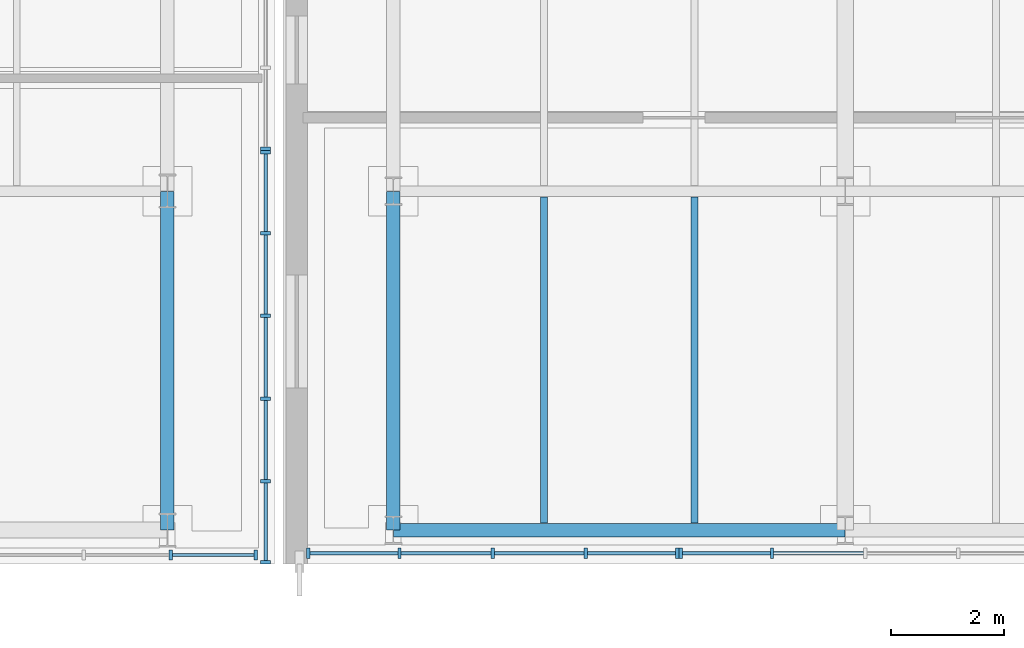
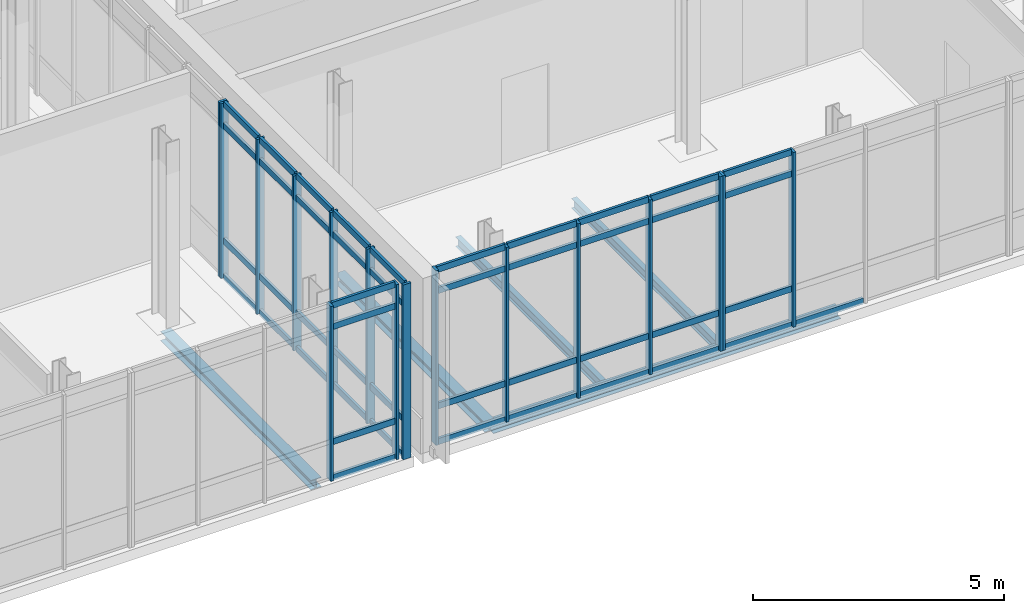
# One storey, part 28 of 100: 61 members, 5 beams, 5 elements without a shape of their own.
"""IFC4 building model written with IfcOpenShell, lengths in metres."""

from ifc_helpers import new_model, si_unit, direction, frame, origin, origin_2d, place, context, subcontext, project, spatial, rectangle, i_section, extrude, material, material_profile, profile_set, type_object, element, aggregate, save


model = new_model("IFC4")

# Units and contexts
model_context = context("Model", 3, precision=1e-05, world=origin(), true_north=direction((0.0, 1.0)))
body_context = subcontext(model_context, "Body", "Model", "MODEL_VIEW")
ifc_project = project(units=[si_unit("LENGTHUNIT", "METRE"), si_unit("AREAUNIT", "SQUARE_METRE"), si_unit("VOLUMEUNIT", "CUBIC_METRE"), si_unit("PLANEANGLEUNIT", "RADIAN"), si_unit("MASSUNIT", "GRAM", prefix="KILO")], contexts=[model_context])

# Site, building, storey
site_placement = place(None, origin())
site = spatial("IfcSite", under=ifc_project, at=site_placement, CompositionType="ELEMENT")
building_placement = place(site_placement, origin())
building = spatial("IfcBuilding", under=site, at=building_placement, Name="Cymarion Research Institute", CompositionType="ELEMENT")
storey_placement = place(building_placement, frame((0.0, 0.0, 4.800048828125)))
storey = spatial("IfcBuildingStorey", under=building, at=storey_placement, Name="L01", CompositionType="ELEMENT", Elevation=4.800048828125)

# Curtain wall, members
ifc_material_1 = material(Name="Anodised aluminium unitised curtain wall with Low-E glazing", Category="aluminium")
curtain_wall_type_1 = type_object("IfcCurtainWallType", Name="UNITISED CURTAIN WALL CW01 6590X4250", PredefinedType="NOTDEFINED", material=ifc_material_1)
curtain_wall_1_placement = place(storey_placement, origin())
curtain_wall_1 = element("IfcCurtainWall", 1, at=curtain_wall_1_placement, inside=storey, type_object=curtain_wall_type_1, Name="L01 V1 unitised curtain wall CW01 #1", PredefinedType="NOTDEFINED")
ifc_material_2 = material(Name="Anodised aluminium framing", Category="aluminium")
ifc_material_profile_1 = material_profile(ifc_material_2, rectangle(XDim=0.06005859375, YDim=0.179931640625, at=origin_2d()), Name="ALU MULLION 60x180")
ifc_profile_set_1 = profile_set([ifc_material_profile_1], Name="Anodised aluminium framing")
member_type_1 = type_object("IfcMemberType", Name="CURTAIN WALL MULLION ML01 60X180", PredefinedType="MULLION", material=ifc_profile_set_1)
member_1_placement = place(storey_placement, frame((105.092041015625, 5.090087890625, 0.0), z_axis=(0.0, 0.0, 1.0), x_axis=(1.0, 0.0, 0.0)))
member_1 = element("IfcMember", 2, at=member_1_placement, type_object=member_type_1, Name="CW01 mullion 1", PredefinedType="MULLION", context=body_context, shape_type="SweptSolid", body=[
    extrude(rectangle(XDim=0.06005859375, YDim=0.179931640625, at=origin_2d()), origin(), (0.0, 0.0, 1.0), 4.25),
])
member_2_placement = place(storey_placement, frame((106.710205078125, 5.090087890625, 0.0), z_axis=(0.0, 0.0, 1.0), x_axis=(1.0, 0.0, 0.0)))
member_2 = element("IfcMember", 3, at=member_2_placement, type_object=member_type_1, Name="CW01 mullion 2", PredefinedType="MULLION", context=body_context, shape_type="SweptSolid", body=[
    extrude(rectangle(XDim=0.06005859375, YDim=0.179931640625, at=origin_2d()), origin(), (0.0, 0.0, 1.0), 4.25),
])
member_3_placement = place(storey_placement, frame((108.358642578125, 5.090087890625, 0.0), z_axis=(0.0, 0.0, 1.0), x_axis=(1.0, 0.0, 0.0)))
member_3 = element("IfcMember", 4, at=member_3_placement, type_object=member_type_1, Name="CW01 mullion 3", PredefinedType="MULLION", context=body_context, shape_type="SweptSolid", body=[
    extrude(rectangle(XDim=0.06005859375, YDim=0.179931640625, at=origin_2d()), origin(), (0.0, 0.0, 1.0), 4.25),
])
member_4_placement = place(storey_placement, frame((110.0068359375, 5.090087890625, 0.0), z_axis=(0.0, 0.0, 1.0), x_axis=(1.0, 0.0, 0.0)))
member_4 = element("IfcMember", 5, at=member_4_placement, type_object=member_type_1, Name="CW01 mullion 4", PredefinedType="MULLION", context=body_context, shape_type="SweptSolid", body=[
    extrude(rectangle(XDim=0.06005859375, YDim=0.179931640625, at=origin_2d()), origin(), (0.0, 0.0, 1.0), 4.25),
])
member_5_placement = place(storey_placement, frame((111.625, 5.090087890625, 0.0), z_axis=(0.0, 0.0, 1.0), x_axis=(1.0, 0.0, 0.0)))
member_5 = element("IfcMember", 6, at=member_5_placement, type_object=member_type_1, Name="CW01 mullion 5", PredefinedType="MULLION", context=body_context, shape_type="SweptSolid", body=[
    extrude(rectangle(XDim=0.06005859375, YDim=0.179931640625, at=origin_2d()), origin(), (0.0, 0.0, 1.0), 4.25),
])

curtain_wall_2_placement = place(storey_placement, origin())
curtain_wall_2 = element("IfcCurtainWall", 7, at=curtain_wall_2_placement, inside=storey, type_object=curtain_wall_type_1, Name="L01 V1 unitised curtain wall CW01 #2", PredefinedType="NOTDEFINED")
member_6_placement = place(storey_placement, frame((111.68505859375, 5.090087890625, 0.0), z_axis=(0.0, 0.0, 1.0), x_axis=(1.0, 0.0, 0.0)))
member_6 = element("IfcMember", 8, at=member_6_placement, type_object=member_type_1, Name="CW01 mullion 1", PredefinedType="MULLION", context=body_context, shape_type="SweptSolid", body=[
    extrude(rectangle(XDim=0.06005859375, YDim=0.179931640625, at=origin_2d()), origin(), (0.0, 0.0, 1.0), 4.25),
])
member_7_placement = place(storey_placement, frame((113.303466796875, 5.090087890625, 0.0), z_axis=(0.0, 0.0, 1.0), x_axis=(1.0, 0.0, 0.0)))
member_7 = element("IfcMember", 9, at=member_7_placement, type_object=member_type_1, Name="CW01 mullion 2", PredefinedType="MULLION", context=body_context, shape_type="SweptSolid", body=[
    extrude(rectangle(XDim=0.06005859375, YDim=0.179931640625, at=origin_2d()), origin(), (0.0, 0.0, 1.0), 4.25),
])

curtain_wall_type_2 = type_object("IfcCurtainWallType", Name="UNITISED CURTAIN WALL CW07 6150X4250", PredefinedType="NOTDEFINED", material=ifc_material_1)
curtain_wall_3_placement = place(storey_placement, origin())
curtain_wall_3 = element("IfcCurtainWall", 10, at=curtain_wall_3_placement, inside=storey, type_object=curtain_wall_type_2, Name="L01 V2 unitised curtain wall CW07 #18", PredefinedType="NOTDEFINED")
member_8_placement = place(storey_placement, frame((102.66064453125, 5.06005859375, 0.0), z_axis=(0.0, 0.0, 1.0), x_axis=(1.0, 0.0, 0.0)))
member_8 = element("IfcMember", 11, at=member_8_placement, type_object=member_type_1, Name="CW07 mullion 4", PredefinedType="MULLION", context=body_context, shape_type="SweptSolid", body=[
    extrude(rectangle(XDim=0.06005859375, YDim=0.179931640625, at=origin_2d()), origin(), (0.0, 0.0, 1.0), 4.25),
])
member_9_placement = place(storey_placement, frame((104.16796875, 5.06005859375, 0.0), z_axis=(0.0, 0.0, 1.0), x_axis=(1.0, 0.0, 0.0)))
member_9 = element("IfcMember", 12, at=member_9_placement, type_object=member_type_1, Name="CW07 mullion 5", PredefinedType="MULLION", context=body_context, shape_type="SweptSolid", body=[
    extrude(rectangle(XDim=0.06005859375, YDim=0.179931640625, at=origin_2d()), origin(), (0.0, 0.0, 1.0), 4.25),
])

curtain_wall_type_3 = type_object("IfcCurtainWallType", Name="UNITISED CURTAIN WALL CW08 7320X4250", PredefinedType="NOTDEFINED", material=ifc_material_1)
curtain_wall_4_placement = place(storey_placement, origin())
curtain_wall_4 = element("IfcCurtainWall", 13, at=curtain_wall_4_placement, inside=storey, type_object=curtain_wall_type_3, Name="L01 V2 unitised curtain wall CW08 #19", PredefinedType="NOTDEFINED")
member_10_placement = place(storey_placement, frame((104.340087890625, 4.929931640625, 0.0), z_axis=(0.0, 0.0, 1.0), x_axis=(0.0, 1.0, 0.0)))
member_10 = element("IfcMember", 14, at=member_10_placement, type_object=member_type_1, Name="CW08 mullion 1", PredefinedType="MULLION", context=body_context, shape_type="SweptSolid", body=[
    extrude(rectangle(XDim=0.06005859375, YDim=0.179931640625, at=origin_2d()), origin(), (0.0, 0.0, 1.0), 4.25),
])
member_11_placement = place(storey_placement, frame((104.340087890625, 6.364013671875, 0.0), z_axis=(0.0, 0.0, 1.0), x_axis=(0.0, 1.0, 0.0)))
member_11 = element("IfcMember", 15, at=member_11_placement, type_object=member_type_1, Name="CW08 mullion 2", PredefinedType="MULLION", context=body_context, shape_type="SweptSolid", body=[
    extrude(rectangle(XDim=0.06005859375, YDim=0.179931640625, at=origin_2d()), origin(), (0.0, 0.0, 1.0), 4.25),
])
member_12_placement = place(storey_placement, frame((104.340087890625, 7.827880859375, 0.0), z_axis=(0.0, 0.0, 1.0), x_axis=(0.0, 1.0, 0.0)))
member_12 = element("IfcMember", 16, at=member_12_placement, type_object=member_type_1, Name="CW08 mullion 3", PredefinedType="MULLION", context=body_context, shape_type="SweptSolid", body=[
    extrude(rectangle(XDim=0.06005859375, YDim=0.179931640625, at=origin_2d()), origin(), (0.0, 0.0, 1.0), 4.25),
])
member_13_placement = place(storey_placement, frame((104.340087890625, 9.2919921875, 0.0), z_axis=(0.0, 0.0, 1.0), x_axis=(0.0, 1.0, 0.0)))
member_13 = element("IfcMember", 17, at=member_13_placement, type_object=member_type_1, Name="CW08 mullion 4", PredefinedType="MULLION", context=body_context, shape_type="SweptSolid", body=[
    extrude(rectangle(XDim=0.06005859375, YDim=0.179931640625, at=origin_2d()), origin(), (0.0, 0.0, 1.0), 4.25),
])
member_14_placement = place(storey_placement, frame((104.340087890625, 10.756103515625, 0.0), z_axis=(0.0, 0.0, 1.0), x_axis=(0.0, 1.0, 0.0)))
member_14 = element("IfcMember", 18, at=member_14_placement, type_object=member_type_1, Name="CW08 mullion 5", PredefinedType="MULLION", context=body_context, shape_type="SweptSolid", body=[
    extrude(rectangle(XDim=0.06005859375, YDim=0.179931640625, at=origin_2d()), origin(), (0.0, 0.0, 1.0), 4.25),
])
member_15_placement = place(storey_placement, frame((104.340087890625, 12.18994140625, 0.0), z_axis=(0.0, 0.0, 1.0), x_axis=(0.0, 1.0, 0.0)))
member_15 = element("IfcMember", 19, at=member_15_placement, type_object=member_type_1, Name="CW08 mullion 6", PredefinedType="MULLION", context=body_context, shape_type="SweptSolid", body=[
    extrude(rectangle(XDim=0.06005859375, YDim=0.179931640625, at=origin_2d()), origin(), (0.0, 0.0, 1.0), 4.25),
])

# Curtain wall, member
curtain_wall_5_placement = place(storey_placement, origin())
curtain_wall_5 = element("IfcCurtainWall", 20, at=curtain_wall_5_placement, inside=storey, type_object=curtain_wall_type_3, Name="L01 V2 unitised curtain wall CW08 #20", PredefinedType="NOTDEFINED")
member_16_placement = place(storey_placement, frame((104.340087890625, 12.25, 0.0), z_axis=(0.0, 0.0, 1.0), x_axis=(0.0, 1.0, 0.0)))
member_16 = element("IfcMember", 21, at=member_16_placement, type_object=member_type_1, Name="CW08 mullion 1", PredefinedType="MULLION", context=body_context, shape_type="SweptSolid", body=[
    extrude(rectangle(XDim=0.06005859375, YDim=0.179931640625, at=origin_2d()), origin(), (0.0, 0.0, 1.0), 4.25),
])
aggregate(curtain_wall_5, [member_16])

# Member
ifc_material_profile_2 = material_profile(ifc_material_2, rectangle(XDim=0.06005859375, YDim=0.14990234375, at=origin_2d()), Name="ALU TRANSOM 60x150")
ifc_profile_set_2 = profile_set([ifc_material_profile_2], Name="Anodised aluminium framing")
member_type_2 = type_object("IfcMemberType", Name="CURTAIN WALL TRANSOM TR01 60X150", PredefinedType="USERDEFINED", material=ifc_profile_set_2)
member_17_placement = place(storey_placement, frame((105.1220703125, 5.090087890625, 0.030029296875), z_axis=(1.0, 0.0, 0.0), x_axis=(0.0, 1.0, 0.0)))
member_17 = element("IfcMember", 22, at=member_17_placement, type_object=member_type_2, Name="CW01 transom 1.1", ObjectType="TRANSOM", PredefinedType="USERDEFINED", context=body_context, shape_type="SweptSolid", body=[
    extrude(rectangle(XDim=0.06005859375, YDim=0.14990234375, at=origin_2d()), origin(), (0.0, 0.0, 1.0), 1.55810546875),
])

member_18_placement = place(storey_placement, frame((105.1220703125, 5.090087890625, 0.89990234375), z_axis=(1.0, 0.0, 0.0), x_axis=(0.0, 1.0, 0.0)))
member_18 = element("IfcMember", 23, at=member_18_placement, type_object=member_type_2, Name="CW01 transom 1.2", ObjectType="TRANSOM", PredefinedType="USERDEFINED", context=body_context, shape_type="SweptSolid", body=[
    extrude(rectangle(XDim=0.06005859375, YDim=0.14990234375, at=origin_2d()), origin(), (0.0, 0.0, 1.0), 1.55810546875),
])

member_19_placement = place(storey_placement, frame((105.1220703125, 5.090087890625, 3.699951171875), z_axis=(1.0, 0.0, 0.0), x_axis=(0.0, 1.0, 0.0)))
member_19 = element("IfcMember", 24, at=member_19_placement, type_object=member_type_2, Name="CW01 transom 1.3", ObjectType="TRANSOM", PredefinedType="USERDEFINED", context=body_context, shape_type="SweptSolid", body=[
    extrude(rectangle(XDim=0.06005859375, YDim=0.14990234375, at=origin_2d()), origin(), (0.0, 0.0, 1.0), 1.55810546875),
])

member_20_placement = place(storey_placement, frame((105.1220703125, 5.090087890625, 4.219970703125), z_axis=(1.0, 0.0, 0.0), x_axis=(0.0, 1.0, 0.0)))
member_20 = element("IfcMember", 25, at=member_20_placement, type_object=member_type_2, Name="CW01 transom 1.4", ObjectType="TRANSOM", PredefinedType="USERDEFINED", context=body_context, shape_type="SweptSolid", body=[
    extrude(rectangle(XDim=0.06005859375, YDim=0.14990234375, at=origin_2d()), origin(), (0.0, 0.0, 1.0), 1.55810546875),
])

member_21_placement = place(storey_placement, frame((106.740234375, 5.090087890625, 0.030029296875), z_axis=(1.0, 0.0, 0.0), x_axis=(0.0, 1.0, 0.0)))
member_21 = element("IfcMember", 26, at=member_21_placement, type_object=member_type_2, Name="CW01 transom 2.1", ObjectType="TRANSOM", PredefinedType="USERDEFINED", context=body_context, shape_type="SweptSolid", body=[
    extrude(rectangle(XDim=0.06005859375, YDim=0.14990234375, at=origin_2d()), origin(), (0.0, 0.0, 1.0), 1.58837890625),
])

member_22_placement = place(storey_placement, frame((106.740234375, 5.090087890625, 0.89990234375), z_axis=(1.0, 0.0, 0.0), x_axis=(0.0, 1.0, 0.0)))
member_22 = element("IfcMember", 27, at=member_22_placement, type_object=member_type_2, Name="CW01 transom 2.2", ObjectType="TRANSOM", PredefinedType="USERDEFINED", context=body_context, shape_type="SweptSolid", body=[
    extrude(rectangle(XDim=0.06005859375, YDim=0.14990234375, at=origin_2d()), origin(), (0.0, 0.0, 1.0), 1.58837890625),
])

member_23_placement = place(storey_placement, frame((106.740234375, 5.090087890625, 3.699951171875), z_axis=(1.0, 0.0, 0.0), x_axis=(0.0, 1.0, 0.0)))
member_23 = element("IfcMember", 28, at=member_23_placement, type_object=member_type_2, Name="CW01 transom 2.3", ObjectType="TRANSOM", PredefinedType="USERDEFINED", context=body_context, shape_type="SweptSolid", body=[
    extrude(rectangle(XDim=0.06005859375, YDim=0.14990234375, at=origin_2d()), origin(), (0.0, 0.0, 1.0), 1.58837890625),
])

member_24_placement = place(storey_placement, frame((106.740234375, 5.090087890625, 4.219970703125), z_axis=(1.0, 0.0, 0.0), x_axis=(0.0, 1.0, 0.0)))
member_24 = element("IfcMember", 29, at=member_24_placement, type_object=member_type_2, Name="CW01 transom 2.4", ObjectType="TRANSOM", PredefinedType="USERDEFINED", context=body_context, shape_type="SweptSolid", body=[
    extrude(rectangle(XDim=0.06005859375, YDim=0.14990234375, at=origin_2d()), origin(), (0.0, 0.0, 1.0), 1.58837890625),
])

member_25_placement = place(storey_placement, frame((108.388671875, 5.090087890625, 0.030029296875), z_axis=(1.0, 0.0, 0.0), x_axis=(0.0, 1.0, 0.0)))
member_25 = element("IfcMember", 30, at=member_25_placement, type_object=member_type_2, Name="CW01 transom 3.1", ObjectType="TRANSOM", PredefinedType="USERDEFINED", context=body_context, shape_type="SweptSolid", body=[
    extrude(rectangle(XDim=0.06005859375, YDim=0.14990234375, at=origin_2d()), origin(), (0.0, 0.0, 1.0), 1.588134765625),
])

member_26_placement = place(storey_placement, frame((108.388671875, 5.090087890625, 0.89990234375), z_axis=(1.0, 0.0, 0.0), x_axis=(0.0, 1.0, 0.0)))
member_26 = element("IfcMember", 31, at=member_26_placement, type_object=member_type_2, Name="CW01 transom 3.2", ObjectType="TRANSOM", PredefinedType="USERDEFINED", context=body_context, shape_type="SweptSolid", body=[
    extrude(rectangle(XDim=0.06005859375, YDim=0.14990234375, at=origin_2d()), origin(), (0.0, 0.0, 1.0), 1.588134765625),
])

member_27_placement = place(storey_placement, frame((108.388671875, 5.090087890625, 3.699951171875), z_axis=(1.0, 0.0, 0.0), x_axis=(0.0, 1.0, 0.0)))
member_27 = element("IfcMember", 32, at=member_27_placement, type_object=member_type_2, Name="CW01 transom 3.3", ObjectType="TRANSOM", PredefinedType="USERDEFINED", context=body_context, shape_type="SweptSolid", body=[
    extrude(rectangle(XDim=0.06005859375, YDim=0.14990234375, at=origin_2d()), origin(), (0.0, 0.0, 1.0), 1.588134765625),
])

member_28_placement = place(storey_placement, frame((108.388671875, 5.090087890625, 4.219970703125), z_axis=(1.0, 0.0, 0.0), x_axis=(0.0, 1.0, 0.0)))
member_28 = element("IfcMember", 33, at=member_28_placement, type_object=member_type_2, Name="CW01 transom 3.4", ObjectType="TRANSOM", PredefinedType="USERDEFINED", context=body_context, shape_type="SweptSolid", body=[
    extrude(rectangle(XDim=0.06005859375, YDim=0.14990234375, at=origin_2d()), origin(), (0.0, 0.0, 1.0), 1.588134765625),
])

member_29_placement = place(storey_placement, frame((110.036865234375, 5.090087890625, 0.030029296875), z_axis=(1.0, 0.0, 0.0), x_axis=(0.0, 1.0, 0.0)))
member_29 = element("IfcMember", 34, at=member_29_placement, type_object=member_type_2, Name="CW01 transom 4.1", ObjectType="TRANSOM", PredefinedType="USERDEFINED", context=body_context, shape_type="SweptSolid", body=[
    extrude(rectangle(XDim=0.06005859375, YDim=0.14990234375, at=origin_2d()), origin(), (0.0, 0.0, 1.0), 1.558349609375),
])

member_30_placement = place(storey_placement, frame((110.036865234375, 5.090087890625, 0.89990234375), z_axis=(1.0, 0.0, 0.0), x_axis=(0.0, 1.0, 0.0)))
member_30 = element("IfcMember", 35, at=member_30_placement, type_object=member_type_2, Name="CW01 transom 4.2", ObjectType="TRANSOM", PredefinedType="USERDEFINED", context=body_context, shape_type="SweptSolid", body=[
    extrude(rectangle(XDim=0.06005859375, YDim=0.14990234375, at=origin_2d()), origin(), (0.0, 0.0, 1.0), 1.558349609375),
])

member_31_placement = place(storey_placement, frame((110.036865234375, 5.090087890625, 3.699951171875), z_axis=(1.0, 0.0, 0.0), x_axis=(0.0, 1.0, 0.0)))
member_31 = element("IfcMember", 36, at=member_31_placement, type_object=member_type_2, Name="CW01 transom 4.3", ObjectType="TRANSOM", PredefinedType="USERDEFINED", context=body_context, shape_type="SweptSolid", body=[
    extrude(rectangle(XDim=0.06005859375, YDim=0.14990234375, at=origin_2d()), origin(), (0.0, 0.0, 1.0), 1.558349609375),
])

member_32_placement = place(storey_placement, frame((110.036865234375, 5.090087890625, 4.219970703125), z_axis=(1.0, 0.0, 0.0), x_axis=(0.0, 1.0, 0.0)))
member_32 = element("IfcMember", 37, at=member_32_placement, type_object=member_type_2, Name="CW01 transom 4.4", ObjectType="TRANSOM", PredefinedType="USERDEFINED", context=body_context, shape_type="SweptSolid", body=[
    extrude(rectangle(XDim=0.06005859375, YDim=0.14990234375, at=origin_2d()), origin(), (0.0, 0.0, 1.0), 1.558349609375),
])

aggregate(curtain_wall_1, [member_1, member_2, member_3, member_4, member_5, member_17, member_18, member_19, member_20, member_21, member_22, member_23, member_24, member_25, member_26, member_27, member_28, member_29, member_30, member_31, member_32])

member_33_placement = place(storey_placement, frame((111.715087890625, 5.090087890625, 0.030029296875), z_axis=(1.0, 0.0, 0.0), x_axis=(0.0, 1.0, 0.0)))
member_33 = element("IfcMember", 38, at=member_33_placement, type_object=member_type_2, Name="CW01 transom 1.1", ObjectType="TRANSOM", PredefinedType="USERDEFINED", context=body_context, shape_type="SweptSolid", body=[
    extrude(rectangle(XDim=0.06005859375, YDim=0.14990234375, at=origin_2d()), origin(), (0.0, 0.0, 1.0), 1.558349609375),
])

member_34_placement = place(storey_placement, frame((111.715087890625, 5.090087890625, 0.89990234375), z_axis=(1.0, 0.0, 0.0), x_axis=(0.0, 1.0, 0.0)))
member_34 = element("IfcMember", 39, at=member_34_placement, type_object=member_type_2, Name="CW01 transom 1.2", ObjectType="TRANSOM", PredefinedType="USERDEFINED", context=body_context, shape_type="SweptSolid", body=[
    extrude(rectangle(XDim=0.06005859375, YDim=0.14990234375, at=origin_2d()), origin(), (0.0, 0.0, 1.0), 1.558349609375),
])

member_35_placement = place(storey_placement, frame((111.715087890625, 5.090087890625, 3.699951171875), z_axis=(1.0, 0.0, 0.0), x_axis=(0.0, 1.0, 0.0)))
member_35 = element("IfcMember", 40, at=member_35_placement, type_object=member_type_2, Name="CW01 transom 1.3", ObjectType="TRANSOM", PredefinedType="USERDEFINED", context=body_context, shape_type="SweptSolid", body=[
    extrude(rectangle(XDim=0.06005859375, YDim=0.14990234375, at=origin_2d()), origin(), (0.0, 0.0, 1.0), 1.558349609375),
])

member_36_placement = place(storey_placement, frame((111.715087890625, 5.090087890625, 4.219970703125), z_axis=(1.0, 0.0, 0.0), x_axis=(0.0, 1.0, 0.0)))
member_36 = element("IfcMember", 41, at=member_36_placement, type_object=member_type_2, Name="CW01 transom 1.4", ObjectType="TRANSOM", PredefinedType="USERDEFINED", context=body_context, shape_type="SweptSolid", body=[
    extrude(rectangle(XDim=0.06005859375, YDim=0.14990234375, at=origin_2d()), origin(), (0.0, 0.0, 1.0), 1.558349609375),
])

member_37_placement = place(storey_placement, frame((113.33349609375, 5.090087890625, 0.030029296875), z_axis=(1.0, 0.0, 0.0), x_axis=(0.0, 1.0, 0.0)))
member_37 = element("IfcMember", 42, at=member_37_placement, type_object=member_type_2, Name="CW01 transom 2.1", ObjectType="TRANSOM", PredefinedType="USERDEFINED", context=body_context, shape_type="SweptSolid", body=[
    extrude(rectangle(XDim=0.06005859375, YDim=0.14990234375, at=origin_2d()), origin(), (0.0, 0.0, 1.0), 1.588134765625),
])

aggregate(curtain_wall_2, [member_6, member_7, member_33, member_34, member_35, member_36, member_37])

member_38_placement = place(storey_placement, frame((102.690673828125, 5.06005859375, 0.030029296875), z_axis=(1.0, 0.0, 0.0), x_axis=(0.0, 1.0, 0.0)))
member_38 = element("IfcMember", 43, at=member_38_placement, type_object=member_type_2, Name="CW07 transom 4.1", ObjectType="TRANSOM", PredefinedType="USERDEFINED", context=body_context, shape_type="SweptSolid", body=[
    extrude(rectangle(XDim=0.06005859375, YDim=0.14990234375, at=origin_2d()), origin(), (0.0, 0.0, 1.0), 1.447265625),
])

member_39_placement = place(storey_placement, frame((102.690673828125, 5.06005859375, 0.89990234375), z_axis=(1.0, 0.0, 0.0), x_axis=(0.0, 1.0, 0.0)))
member_39 = element("IfcMember", 44, at=member_39_placement, type_object=member_type_2, Name="CW07 transom 4.2", ObjectType="TRANSOM", PredefinedType="USERDEFINED", context=body_context, shape_type="SweptSolid", body=[
    extrude(rectangle(XDim=0.06005859375, YDim=0.14990234375, at=origin_2d()), origin(), (0.0, 0.0, 1.0), 1.447265625),
])

member_40_placement = place(storey_placement, frame((102.690673828125, 5.06005859375, 3.699951171875), z_axis=(1.0, 0.0, 0.0), x_axis=(0.0, 1.0, 0.0)))
member_40 = element("IfcMember", 45, at=member_40_placement, type_object=member_type_2, Name="CW07 transom 4.3", ObjectType="TRANSOM", PredefinedType="USERDEFINED", context=body_context, shape_type="SweptSolid", body=[
    extrude(rectangle(XDim=0.06005859375, YDim=0.14990234375, at=origin_2d()), origin(), (0.0, 0.0, 1.0), 1.447265625),
])

member_41_placement = place(storey_placement, frame((102.690673828125, 5.06005859375, 4.219970703125), z_axis=(1.0, 0.0, 0.0), x_axis=(0.0, 1.0, 0.0)))
member_41 = element("IfcMember", 46, at=member_41_placement, type_object=member_type_2, Name="CW07 transom 4.4", ObjectType="TRANSOM", PredefinedType="USERDEFINED", context=body_context, shape_type="SweptSolid", body=[
    extrude(rectangle(XDim=0.06005859375, YDim=0.14990234375, at=origin_2d()), origin(), (0.0, 0.0, 1.0), 1.447265625),
])

aggregate(curtain_wall_3, [member_8, member_9, member_38, member_39, member_40, member_41])

member_42_placement = place(storey_placement, frame((104.340087890625, 4.9599609375, 0.030029296875), z_axis=(0.0, 1.0, 0.0), x_axis=(-1.0, 0.0, 0.0)))
member_42 = element("IfcMember", 47, at=member_42_placement, type_object=member_type_2, Name="CW08 transom 1.1", ObjectType="TRANSOM", PredefinedType="USERDEFINED", context=body_context, shape_type="SweptSolid", body=[
    extrude(rectangle(XDim=0.06005859375, YDim=0.14990234375, at=origin_2d()), origin(), (0.0, 0.0, 1.0), 1.3740234375),
])

member_43_placement = place(storey_placement, frame((104.340087890625, 4.9599609375, 0.89990234375), z_axis=(0.0, 1.0, 0.0), x_axis=(-1.0, 0.0, 0.0)))
member_43 = element("IfcMember", 48, at=member_43_placement, type_object=member_type_2, Name="CW08 transom 1.2", ObjectType="TRANSOM", PredefinedType="USERDEFINED", context=body_context, shape_type="SweptSolid", body=[
    extrude(rectangle(XDim=0.06005859375, YDim=0.14990234375, at=origin_2d()), origin(), (0.0, 0.0, 1.0), 1.3740234375),
])

member_44_placement = place(storey_placement, frame((104.340087890625, 4.9599609375, 3.699951171875), z_axis=(0.0, 1.0, 0.0), x_axis=(-1.0, 0.0, 0.0)))
member_44 = element("IfcMember", 49, at=member_44_placement, type_object=member_type_2, Name="CW08 transom 1.3", ObjectType="TRANSOM", PredefinedType="USERDEFINED", context=body_context, shape_type="SweptSolid", body=[
    extrude(rectangle(XDim=0.06005859375, YDim=0.14990234375, at=origin_2d()), origin(), (0.0, 0.0, 1.0), 1.3740234375),
])

member_45_placement = place(storey_placement, frame((104.340087890625, 4.9599609375, 4.219970703125), z_axis=(0.0, 1.0, 0.0), x_axis=(-1.0, 0.0, 0.0)))
member_45 = element("IfcMember", 50, at=member_45_placement, type_object=member_type_2, Name="CW08 transom 1.4", ObjectType="TRANSOM", PredefinedType="USERDEFINED", context=body_context, shape_type="SweptSolid", body=[
    extrude(rectangle(XDim=0.06005859375, YDim=0.14990234375, at=origin_2d()), origin(), (0.0, 0.0, 1.0), 1.3740234375),
])

member_46_placement = place(storey_placement, frame((104.340087890625, 6.39404296875, 0.030029296875), z_axis=(0.0, 1.0, 0.0), x_axis=(-1.0, 0.0, 0.0)))
member_46 = element("IfcMember", 51, at=member_46_placement, type_object=member_type_2, Name="CW08 transom 2.1", ObjectType="TRANSOM", PredefinedType="USERDEFINED", context=body_context, shape_type="SweptSolid", body=[
    extrude(rectangle(XDim=0.06005859375, YDim=0.14990234375, at=origin_2d()), origin(), (0.0, 0.0, 1.0), 1.404052734375),
])

member_47_placement = place(storey_placement, frame((104.340087890625, 6.39404296875, 0.89990234375), z_axis=(0.0, 1.0, 0.0), x_axis=(-1.0, 0.0, 0.0)))
member_47 = element("IfcMember", 52, at=member_47_placement, type_object=member_type_2, Name="CW08 transom 2.2", ObjectType="TRANSOM", PredefinedType="USERDEFINED", context=body_context, shape_type="SweptSolid", body=[
    extrude(rectangle(XDim=0.06005859375, YDim=0.14990234375, at=origin_2d()), origin(), (0.0, 0.0, 1.0), 1.404052734375),
])

member_48_placement = place(storey_placement, frame((104.340087890625, 6.39404296875, 3.699951171875), z_axis=(0.0, 1.0, 0.0), x_axis=(-1.0, 0.0, 0.0)))
member_48 = element("IfcMember", 53, at=member_48_placement, type_object=member_type_2, Name="CW08 transom 2.3", ObjectType="TRANSOM", PredefinedType="USERDEFINED", context=body_context, shape_type="SweptSolid", body=[
    extrude(rectangle(XDim=0.06005859375, YDim=0.14990234375, at=origin_2d()), origin(), (0.0, 0.0, 1.0), 1.404052734375),
])

member_49_placement = place(storey_placement, frame((104.340087890625, 6.39404296875, 4.219970703125), z_axis=(0.0, 1.0, 0.0), x_axis=(-1.0, 0.0, 0.0)))
member_49 = element("IfcMember", 54, at=member_49_placement, type_object=member_type_2, Name="CW08 transom 2.4", ObjectType="TRANSOM", PredefinedType="USERDEFINED", context=body_context, shape_type="SweptSolid", body=[
    extrude(rectangle(XDim=0.06005859375, YDim=0.14990234375, at=origin_2d()), origin(), (0.0, 0.0, 1.0), 1.404052734375),
])

member_50_placement = place(storey_placement, frame((104.340087890625, 7.85791015625, 0.030029296875), z_axis=(0.0, 1.0, 0.0), x_axis=(-1.0, 0.0, 0.0)))
member_50 = element("IfcMember", 55, at=member_50_placement, type_object=member_type_2, Name="CW08 transom 3.1", ObjectType="TRANSOM", PredefinedType="USERDEFINED", context=body_context, shape_type="SweptSolid", body=[
    extrude(rectangle(XDim=0.06005859375, YDim=0.14990234375, at=origin_2d()), origin(), (0.0, 0.0, 1.0), 1.404052734375),
])

member_51_placement = place(storey_placement, frame((104.340087890625, 7.85791015625, 0.89990234375), z_axis=(0.0, 1.0, 0.0), x_axis=(-1.0, 0.0, 0.0)))
member_51 = element("IfcMember", 56, at=member_51_placement, type_object=member_type_2, Name="CW08 transom 3.2", ObjectType="TRANSOM", PredefinedType="USERDEFINED", context=body_context, shape_type="SweptSolid", body=[
    extrude(rectangle(XDim=0.06005859375, YDim=0.14990234375, at=origin_2d()), origin(), (0.0, 0.0, 1.0), 1.404052734375),
])

member_52_placement = place(storey_placement, frame((104.340087890625, 7.85791015625, 3.699951171875), z_axis=(0.0, 1.0, 0.0), x_axis=(-1.0, 0.0, 0.0)))
member_52 = element("IfcMember", 57, at=member_52_placement, type_object=member_type_2, Name="CW08 transom 3.3", ObjectType="TRANSOM", PredefinedType="USERDEFINED", context=body_context, shape_type="SweptSolid", body=[
    extrude(rectangle(XDim=0.06005859375, YDim=0.14990234375, at=origin_2d()), origin(), (0.0, 0.0, 1.0), 1.404052734375),
])

member_53_placement = place(storey_placement, frame((104.340087890625, 7.85791015625, 4.219970703125), z_axis=(0.0, 1.0, 0.0), x_axis=(-1.0, 0.0, 0.0)))
member_53 = element("IfcMember", 58, at=member_53_placement, type_object=member_type_2, Name="CW08 transom 3.4", ObjectType="TRANSOM", PredefinedType="USERDEFINED", context=body_context, shape_type="SweptSolid", body=[
    extrude(rectangle(XDim=0.06005859375, YDim=0.14990234375, at=origin_2d()), origin(), (0.0, 0.0, 1.0), 1.404052734375),
])

member_54_placement = place(storey_placement, frame((104.340087890625, 9.322021484375, 0.030029296875), z_axis=(0.0, 1.0, 0.0), x_axis=(-1.0, 0.0, 0.0)))
member_54 = element("IfcMember", 59, at=member_54_placement, type_object=member_type_2, Name="CW08 transom 4.1", ObjectType="TRANSOM", PredefinedType="USERDEFINED", context=body_context, shape_type="SweptSolid", body=[
    extrude(rectangle(XDim=0.06005859375, YDim=0.14990234375, at=origin_2d()), origin(), (0.0, 0.0, 1.0), 1.404052734375),
])

member_55_placement = place(storey_placement, frame((104.340087890625, 9.322021484375, 0.89990234375), z_axis=(0.0, 1.0, 0.0), x_axis=(-1.0, 0.0, 0.0)))
member_55 = element("IfcMember", 60, at=member_55_placement, type_object=member_type_2, Name="CW08 transom 4.2", ObjectType="TRANSOM", PredefinedType="USERDEFINED", context=body_context, shape_type="SweptSolid", body=[
    extrude(rectangle(XDim=0.06005859375, YDim=0.14990234375, at=origin_2d()), origin(), (0.0, 0.0, 1.0), 1.404052734375),
])

member_56_placement = place(storey_placement, frame((104.340087890625, 9.322021484375, 3.699951171875), z_axis=(0.0, 1.0, 0.0), x_axis=(-1.0, 0.0, 0.0)))
member_56 = element("IfcMember", 61, at=member_56_placement, type_object=member_type_2, Name="CW08 transom 4.3", ObjectType="TRANSOM", PredefinedType="USERDEFINED", context=body_context, shape_type="SweptSolid", body=[
    extrude(rectangle(XDim=0.06005859375, YDim=0.14990234375, at=origin_2d()), origin(), (0.0, 0.0, 1.0), 1.404052734375),
])

member_57_placement = place(storey_placement, frame((104.340087890625, 9.322021484375, 4.219970703125), z_axis=(0.0, 1.0, 0.0), x_axis=(-1.0, 0.0, 0.0)))
member_57 = element("IfcMember", 62, at=member_57_placement, type_object=member_type_2, Name="CW08 transom 4.4", ObjectType="TRANSOM", PredefinedType="USERDEFINED", context=body_context, shape_type="SweptSolid", body=[
    extrude(rectangle(XDim=0.06005859375, YDim=0.14990234375, at=origin_2d()), origin(), (0.0, 0.0, 1.0), 1.404052734375),
])

member_58_placement = place(storey_placement, frame((104.340087890625, 10.785888671875, 0.030029296875), z_axis=(0.0, 1.0, 0.0), x_axis=(-1.0, 0.0, 0.0)))
member_58 = element("IfcMember", 63, at=member_58_placement, type_object=member_type_2, Name="CW08 transom 5.1", ObjectType="TRANSOM", PredefinedType="USERDEFINED", context=body_context, shape_type="SweptSolid", body=[
    extrude(rectangle(XDim=0.06005859375, YDim=0.14990234375, at=origin_2d()), origin(), (0.0, 0.0, 1.0), 1.3740234375),
])

member_59_placement = place(storey_placement, frame((104.340087890625, 10.785888671875, 0.89990234375), z_axis=(0.0, 1.0, 0.0), x_axis=(-1.0, 0.0, 0.0)))
member_59 = element("IfcMember", 64, at=member_59_placement, type_object=member_type_2, Name="CW08 transom 5.2", ObjectType="TRANSOM", PredefinedType="USERDEFINED", context=body_context, shape_type="SweptSolid", body=[
    extrude(rectangle(XDim=0.06005859375, YDim=0.14990234375, at=origin_2d()), origin(), (0.0, 0.0, 1.0), 1.3740234375),
])

member_60_placement = place(storey_placement, frame((104.340087890625, 10.785888671875, 3.699951171875), z_axis=(0.0, 1.0, 0.0), x_axis=(-1.0, 0.0, 0.0)))
member_60 = element("IfcMember", 65, at=member_60_placement, type_object=member_type_2, Name="CW08 transom 5.3", ObjectType="TRANSOM", PredefinedType="USERDEFINED", context=body_context, shape_type="SweptSolid", body=[
    extrude(rectangle(XDim=0.06005859375, YDim=0.14990234375, at=origin_2d()), origin(), (0.0, 0.0, 1.0), 1.3740234375),
])

member_61_placement = place(storey_placement, frame((104.340087890625, 10.785888671875, 4.219970703125), z_axis=(0.0, 1.0, 0.0), x_axis=(-1.0, 0.0, 0.0)))
member_61 = element("IfcMember", 66, at=member_61_placement, type_object=member_type_2, Name="CW08 transom 5.4", ObjectType="TRANSOM", PredefinedType="USERDEFINED", context=body_context, shape_type="SweptSolid", body=[
    extrude(rectangle(XDim=0.06005859375, YDim=0.14990234375, at=origin_2d()), origin(), (0.0, 0.0, 1.0), 1.3740234375),
])

aggregate(curtain_wall_4, [member_10, member_11, member_12, member_13, member_14, member_15, member_42, member_43, member_44, member_45, member_46, member_47, member_48, member_49, member_50, member_51, member_52, member_53, member_54, member_55, member_56, member_57, member_58, member_59, member_60, member_61])

# Beams
ifc_material_3 = material(Name="Steel S355", Category="steel")
ifc_material_profile_3 = material_profile(ifc_material_3, i_section(OverallWidth=0.1201171875, OverallDepth=0.239990234375, WebThickness=0.006103515625, FlangeThickness=0.009765625, FilletRadius=0.014892578125, at=origin_2d()), Name="IPE 240")
ifc_profile_set_3 = profile_set([ifc_material_profile_3], Name="Steel S355")
beam_type_1 = type_object("IfcBeamType", Name="SECONDARY JOIST JS04 IPE 240", PredefinedType="JOIST", material=ifc_profile_set_3)
for number, where, z_axis, x_axis, name in (
    (67, (109.2666015625, 5.6240234375, -0.3701171875), (0.0, 1.0, 0.0), (-1.0, 0.0, 0.0), "L01 V1 secondary joist JS04 #421"),
    (68, (111.933349609375, 5.6240234375, -0.3701171875), (0.0, 1.0, 0.0), (-1.0, 0.0, 0.0), "L01 V1 secondary joist JS04 #422"),
):
    element("IfcBeam", number, at=place(storey_placement, frame(where, z_axis=z_axis, x_axis=x_axis)), inside=storey, type_object=beam_type_1, Name=name, PredefinedType="JOIST", context=body_context, shape_type="SweptSolid", body=[
        extrude(i_section(OverallWidth=0.1201171875, OverallDepth=0.239990234375, WebThickness=0.006103515625, FlangeThickness=0.009765625, FilletRadius=0.014892578125, at=origin_2d()), origin(), (0.0, 0.0, 1.0), 5.77685546875),
    ])
ifc_material_profile_4 = material_profile(ifc_material_3, i_section(OverallWidth=0.239990234375, OverallDepth=0.22998046875, WebThickness=0.007568359375, FlangeThickness=0.011962890625, FilletRadius=0.02099609375, at=origin_2d()), Name="HEA 240")
ifc_profile_set_4 = profile_set([ifc_material_profile_4], Name="Steel S355")
beam_type_2 = type_object("IfcBeamType", Name="SPANDREL BEAM SPB03 HEA 240", PredefinedType="SPANDREL", material=ifc_profile_set_4)
beam_placement = place(storey_placement, frame((106.60595703125, 5.5, -0.364990234375), z_axis=(1.0, 0.0, 0.0), x_axis=(0.0, 1.0, 0.0)))
element("IfcBeam", 69, at=beam_placement, inside=storey, type_object=beam_type_2, Name="L01 V1 girder SPB03 #348", PredefinedType="SPANDREL", context=body_context, shape_type="SweptSolid", body=[
    extrude(i_section(OverallWidth=0.239990234375, OverallDepth=0.22998046875, WebThickness=0.007568359375, FlangeThickness=0.011962890625, FilletRadius=0.02099609375, at=origin_2d()), origin(), (0.0, 0.0, 1.0), 7.988037109375),
])
for number, where, z_axis, x_axis, name in (
    (70, (106.60009765625, 5.506103515625, -0.364990234375), (0.0, 1.0, 0.0), (-1.0, 0.0, 0.0), "L01 V1 girder SPB03 #376"),
    (71, (102.60009765625, 5.506103515625, -0.364990234375), (0.0, 1.0, 0.0), (-1.0, 0.0, 0.0), "L01 V2 girder SPB03 #517"),
):
    element("IfcBeam", number, at=place(storey_placement, frame(where, z_axis=z_axis, x_axis=x_axis)), inside=storey, type_object=beam_type_2, Name=name, PredefinedType="SPANDREL", context=body_context, shape_type="SweptSolid", body=[
        extrude(i_section(OverallWidth=0.239990234375, OverallDepth=0.22998046875, WebThickness=0.007568359375, FlangeThickness=0.011962890625, FilletRadius=0.02099609375, at=origin_2d()), origin(), (0.0, 0.0, 1.0), 5.98779296875),
    ])

save(model, "model.ifc")
